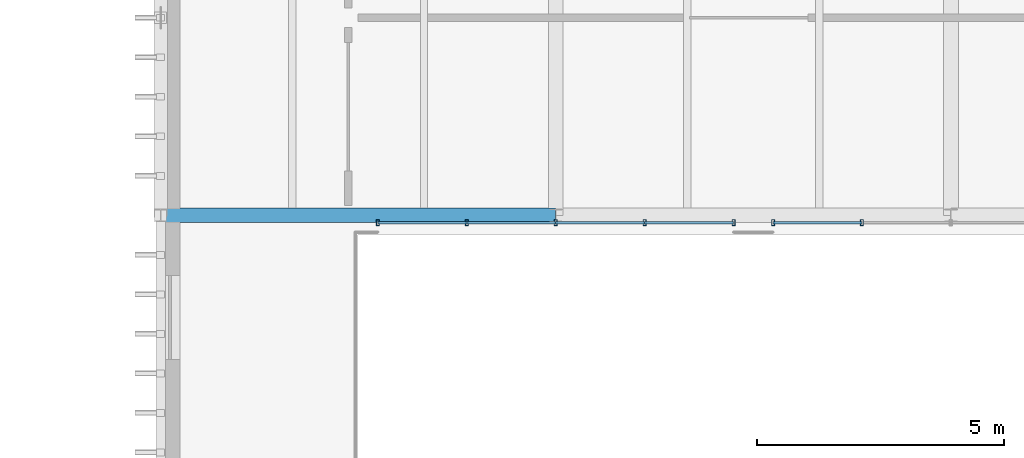
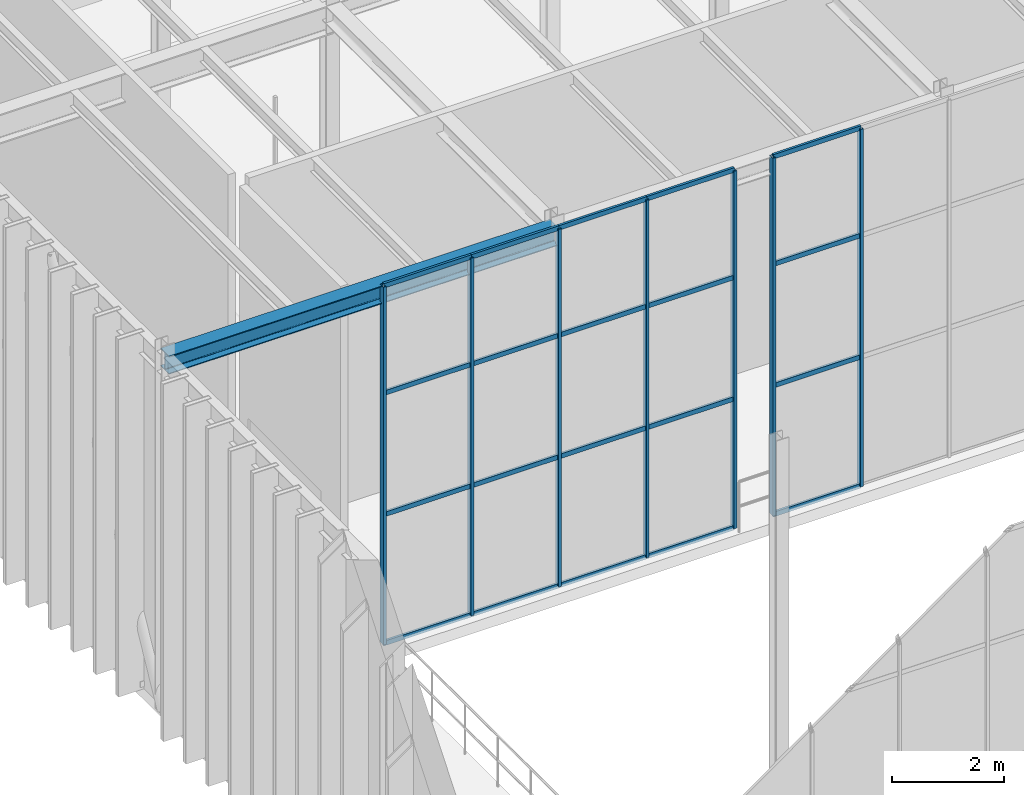
# One storey, part 58 of 138: 27 members, 1 beam, 2 elements without a shape of their own.
"""IFC4 building model written with IfcOpenShell, lengths in metres."""

from ifc_helpers import new_model, si_unit, direction, frame, origin, origin_2d, place, context, subcontext, project, spatial, hollow_rectangle, i_section, extrude, material, material_profile, profile_set, type_object, element, aggregate, save


model = new_model("IFC4")

# Units and contexts
model_context = context("Model", 3, precision=1e-05, world=origin(), true_north=direction((0.0, 1.0)))
body_context = subcontext(model_context, "Body", "Model", "MODEL_VIEW")
ifc_project = project(units=[si_unit("LENGTHUNIT", "METRE"), si_unit("AREAUNIT", "SQUARE_METRE"), si_unit("VOLUMEUNIT", "CUBIC_METRE"), si_unit("PLANEANGLEUNIT", "RADIAN"), si_unit("MASSUNIT", "GRAM", prefix="KILO")], contexts=[model_context])

# Site, building, storey
site_placement = place(None, origin())
site = spatial("IfcSite", under=ifc_project, at=site_placement, CompositionType="ELEMENT")
building_placement = place(site_placement, origin())
building = spatial("IfcBuilding", under=site, at=building_placement, Name="Sundkrona Museum", CompositionType="ELEMENT")
storey_placement = place(building_placement, frame((0.0, 0.0, 9.60009765625)))
storey = spatial("IfcBuildingStorey", under=building, at=storey_placement, Name="L02", CompositionType="ELEMENT", Elevation=9.60009765625)

# Beam
ifc_material_1 = material(Name="Steel S355J2", Category="steel")
ifc_material_profile_1 = material_profile(ifc_material_1, i_section(OverallWidth=0.300048828125, OverallDepth=0.389892578125, WebThickness=0.010986328125, FlangeThickness=0.01904296875, FilletRadius=0.027099609375, at=origin_2d()), Name="HEA 400")
ifc_profile_set_1 = profile_set([ifc_material_profile_1], Name="Steel S355J2")
beam_type = type_object("IfcBeamType", Name="B-HEA400", PredefinedType="BEAM", material=ifc_profile_set_1)
beam_placement = place(storey_placement, frame((16.0, 94.0, 7.56494140625), z_axis=(1.0, 0.0, 0.0), x_axis=(0.0, 1.0, 0.0)))
element("IfcBeam", 1, at=beam_placement, inside=storey, type_object=beam_type, Name="L02 Girder X-1211", PredefinedType="BEAM", context=body_context, shape_type="SweptSolid", body=[
    extrude(i_section(OverallWidth=0.300048828125, OverallDepth=0.389892578125, WebThickness=0.010986328125, FlangeThickness=0.01904296875, FilletRadius=0.027099609375, at=origin_2d()), origin(), (0.0, 0.0, 1.0), 8.0),
])

# Curtain wall, members
ifc_material_2 = material(Name="Unitised Aluminium-Steel and Ceramic-Clad Curtain Walling", Category="steel")
curtain_wall_type = type_object("IfcCurtainWallType", Name="CW-CL-64x48", PredefinedType="NOTDEFINED", material=ifc_material_2)
curtain_wall_1_placement = place(storey_placement, origin())
curtain_wall_1 = element("IfcCurtainWall", 2, at=curtain_wall_1_placement, inside=storey, type_object=curtain_wall_type, Name="L02 Curtain Wall CW-L02-131", PredefinedType="NOTDEFINED")
ifc_material_3 = material(Name="Aluminium EN AW-6060 T66", Category="aluminium")
ifc_material_profile_2 = material_profile(ifc_material_3, hollow_rectangle(XDim=0.06005859375, YDim=0.1201171875, WallThickness=0.0048828125, at=origin_2d()), Name="RHS 120x60x5.0")
ifc_profile_set_2 = profile_set([ifc_material_profile_2], Name="Aluminium EN AW-6060 T66")
member_type_1 = type_object("IfcMemberType", Name="ML-120", PredefinedType="MULLION", material=ifc_profile_set_2)
member_1_placement = place(storey_placement, frame((20.39990234375, 93.85009765625, -0.004150390625), z_axis=(0.0, 0.0, 1.0), x_axis=(1.0, 0.0, 0.0)))
member_1 = element("IfcMember", 3, at=member_1_placement, type_object=member_type_1, Name="CW-L02-131 Mullion 01", PredefinedType="MULLION", context=body_context, shape_type="SweptSolid", body=[
    extrude(hollow_rectangle(XDim=0.06005859375, YDim=0.1201171875, WallThickness=0.0048828125, at=origin_2d()), origin(), (0.0, 0.0, 1.0), 7.76806640625),
])
member_2_placement = place(storey_placement, frame((22.199951171875, 93.85009765625, -0.004150390625), z_axis=(0.0, 0.0, 1.0), x_axis=(1.0, 0.0, 0.0)))
member_2 = element("IfcMember", 4, at=member_2_placement, type_object=member_type_1, Name="CW-L02-131 Mullion 02", PredefinedType="MULLION", context=body_context, shape_type="SweptSolid", body=[
    extrude(hollow_rectangle(XDim=0.06005859375, YDim=0.1201171875, WallThickness=0.0048828125, at=origin_2d()), origin(), (0.0, 0.0, 1.0), 7.76806640625),
])
member_3_placement = place(storey_placement, frame((24.0, 93.85009765625, -0.004150390625), z_axis=(0.0, 0.0, 1.0), x_axis=(1.0, 0.0, 0.0)))
member_3 = element("IfcMember", 5, at=member_3_placement, type_object=member_type_1, Name="CW-L02-131 Mullion 03", PredefinedType="MULLION", context=body_context, shape_type="SweptSolid", body=[
    extrude(hollow_rectangle(XDim=0.06005859375, YDim=0.1201171875, WallThickness=0.0048828125, at=origin_2d()), origin(), (0.0, 0.0, 1.0), 7.76806640625),
])
member_4_placement = place(storey_placement, frame((25.800048828125, 93.85009765625, -0.004150390625), z_axis=(0.0, 0.0, 1.0), x_axis=(1.0, 0.0, 0.0)))
member_4 = element("IfcMember", 6, at=member_4_placement, type_object=member_type_1, Name="CW-L02-131 Mullion 04", PredefinedType="MULLION", context=body_context, shape_type="SweptSolid", body=[
    extrude(hollow_rectangle(XDim=0.06005859375, YDim=0.1201171875, WallThickness=0.0048828125, at=origin_2d()), origin(), (0.0, 0.0, 1.0), 7.76806640625),
])
member_5_placement = place(storey_placement, frame((27.60009765625, 93.85009765625, -0.004150390625), z_axis=(0.0, 0.0, 1.0), x_axis=(1.0, 0.0, 0.0)))
member_5 = element("IfcMember", 7, at=member_5_placement, type_object=member_type_1, Name="CW-L02-131 Mullion 05", PredefinedType="MULLION", context=body_context, shape_type="SweptSolid", body=[
    extrude(hollow_rectangle(XDim=0.06005859375, YDim=0.1201171875, WallThickness=0.0048828125, at=origin_2d()), origin(), (0.0, 0.0, 1.0), 7.76806640625),
])

curtain_wall_2_placement = place(storey_placement, origin())
curtain_wall_2 = element("IfcCurtainWall", 8, at=curtain_wall_2_placement, inside=storey, type_object=curtain_wall_type, Name="L02 Curtain Wall CW-L02-133", PredefinedType="NOTDEFINED")
member_6_placement = place(storey_placement, frame((28.39990234375, 93.85009765625, -0.004150390625), z_axis=(0.0, 0.0, 1.0), x_axis=(1.0, 0.0, 0.0)))
member_6 = element("IfcMember", 9, at=member_6_placement, type_object=member_type_1, Name="CW-L02-133 Mullion 01", PredefinedType="MULLION", context=body_context, shape_type="SweptSolid", body=[
    extrude(hollow_rectangle(XDim=0.06005859375, YDim=0.1201171875, WallThickness=0.0048828125, at=origin_2d()), origin(), (0.0, 0.0, 1.0), 7.76806640625),
])
member_7_placement = place(storey_placement, frame((30.199951171875, 93.85009765625, -0.004150390625), z_axis=(0.0, 0.0, 1.0), x_axis=(1.0, 0.0, 0.0)))
member_7 = element("IfcMember", 10, at=member_7_placement, type_object=member_type_1, Name="CW-L02-133 Mullion 02", PredefinedType="MULLION", context=body_context, shape_type="SweptSolid", body=[
    extrude(hollow_rectangle(XDim=0.06005859375, YDim=0.1201171875, WallThickness=0.0048828125, at=origin_2d()), origin(), (0.0, 0.0, 1.0), 7.76806640625),
])

# Member
ifc_material_profile_3 = material_profile(ifc_material_3, hollow_rectangle(XDim=0.050048828125, YDim=0.10009765625, WallThickness=0.0048828125, at=origin_2d()), Name="RHS 100x50x5.0")
ifc_profile_set_3 = profile_set([ifc_material_profile_3], Name="Aluminium EN AW-6060 T66")
member_type_2 = type_object("IfcMemberType", Name="TR-100", PredefinedType="USERDEFINED", material=ifc_profile_set_3)
member_8_placement = place(storey_placement, frame((20.39990234375, 93.85009765625, -0.004150390625), z_axis=(1.0, 0.0, 0.0), x_axis=(0.0, 1.0, 0.0)))
member_8 = element("IfcMember", 11, at=member_8_placement, type_object=member_type_2, Name="CW-L02-131 Transom 01", ObjectType="TRANSOM", PredefinedType="USERDEFINED", context=body_context, shape_type="SweptSolid", body=[
    extrude(hollow_rectangle(XDim=0.050048828125, YDim=0.10009765625, WallThickness=0.0048828125, at=origin_2d()), origin(), (0.0, 0.0, 1.0), 1.800048828125),
])

member_9_placement = place(storey_placement, frame((20.39990234375, 93.85009765625, 2.7939453125), z_axis=(1.0, 0.0, 0.0), x_axis=(0.0, 1.0, 0.0)))
member_9 = element("IfcMember", 12, at=member_9_placement, type_object=member_type_2, Name="CW-L02-131 Transom 02", ObjectType="TRANSOM", PredefinedType="USERDEFINED", context=body_context, shape_type="SweptSolid", body=[
    extrude(hollow_rectangle(XDim=0.050048828125, YDim=0.10009765625, WallThickness=0.0048828125, at=origin_2d()), origin(), (0.0, 0.0, 1.0), 1.800048828125),
])

member_10_placement = place(storey_placement, frame((20.39990234375, 93.85009765625, 5.431884765625), z_axis=(1.0, 0.0, 0.0), x_axis=(0.0, 1.0, 0.0)))
member_10 = element("IfcMember", 13, at=member_10_placement, type_object=member_type_2, Name="CW-L02-131 Transom 03", ObjectType="TRANSOM", PredefinedType="USERDEFINED", context=body_context, shape_type="SweptSolid", body=[
    extrude(hollow_rectangle(XDim=0.050048828125, YDim=0.10009765625, WallThickness=0.0048828125, at=origin_2d()), origin(), (0.0, 0.0, 1.0), 1.800048828125),
])

member_11_placement = place(storey_placement, frame((20.39990234375, 93.85009765625, 7.763916015625), z_axis=(1.0, 0.0, 0.0), x_axis=(0.0, 1.0, 0.0)))
member_11 = element("IfcMember", 14, at=member_11_placement, type_object=member_type_2, Name="CW-L02-131 Transom 04", ObjectType="TRANSOM", PredefinedType="USERDEFINED", context=body_context, shape_type="SweptSolid", body=[
    extrude(hollow_rectangle(XDim=0.050048828125, YDim=0.10009765625, WallThickness=0.0048828125, at=origin_2d()), origin(), (0.0, 0.0, 1.0), 1.800048828125),
])

member_12_placement = place(storey_placement, frame((22.199951171875, 93.85009765625, -0.004150390625), z_axis=(1.0, 0.0, 0.0), x_axis=(0.0, 1.0, 0.0)))
member_12 = element("IfcMember", 15, at=member_12_placement, type_object=member_type_2, Name="CW-L02-131 Transom 05", ObjectType="TRANSOM", PredefinedType="USERDEFINED", context=body_context, shape_type="SweptSolid", body=[
    extrude(hollow_rectangle(XDim=0.050048828125, YDim=0.10009765625, WallThickness=0.0048828125, at=origin_2d()), origin(), (0.0, 0.0, 1.0), 1.800048828125),
])

member_13_placement = place(storey_placement, frame((22.199951171875, 93.85009765625, 2.7939453125), z_axis=(1.0, 0.0, 0.0), x_axis=(0.0, 1.0, 0.0)))
member_13 = element("IfcMember", 16, at=member_13_placement, type_object=member_type_2, Name="CW-L02-131 Transom 06", ObjectType="TRANSOM", PredefinedType="USERDEFINED", context=body_context, shape_type="SweptSolid", body=[
    extrude(hollow_rectangle(XDim=0.050048828125, YDim=0.10009765625, WallThickness=0.0048828125, at=origin_2d()), origin(), (0.0, 0.0, 1.0), 1.800048828125),
])

member_14_placement = place(storey_placement, frame((22.199951171875, 93.85009765625, 5.431884765625), z_axis=(1.0, 0.0, 0.0), x_axis=(0.0, 1.0, 0.0)))
member_14 = element("IfcMember", 17, at=member_14_placement, type_object=member_type_2, Name="CW-L02-131 Transom 07", ObjectType="TRANSOM", PredefinedType="USERDEFINED", context=body_context, shape_type="SweptSolid", body=[
    extrude(hollow_rectangle(XDim=0.050048828125, YDim=0.10009765625, WallThickness=0.0048828125, at=origin_2d()), origin(), (0.0, 0.0, 1.0), 1.800048828125),
])

member_15_placement = place(storey_placement, frame((22.199951171875, 93.85009765625, 7.763916015625), z_axis=(1.0, 0.0, 0.0), x_axis=(0.0, 1.0, 0.0)))
member_15 = element("IfcMember", 18, at=member_15_placement, type_object=member_type_2, Name="CW-L02-131 Transom 08", ObjectType="TRANSOM", PredefinedType="USERDEFINED", context=body_context, shape_type="SweptSolid", body=[
    extrude(hollow_rectangle(XDim=0.050048828125, YDim=0.10009765625, WallThickness=0.0048828125, at=origin_2d()), origin(), (0.0, 0.0, 1.0), 1.800048828125),
])

member_16_placement = place(storey_placement, frame((24.0, 93.85009765625, -0.004150390625), z_axis=(1.0, 0.0, 0.0), x_axis=(0.0, 1.0, 0.0)))
member_16 = element("IfcMember", 19, at=member_16_placement, type_object=member_type_2, Name="CW-L02-131 Transom 09", ObjectType="TRANSOM", PredefinedType="USERDEFINED", context=body_context, shape_type="SweptSolid", body=[
    extrude(hollow_rectangle(XDim=0.050048828125, YDim=0.10009765625, WallThickness=0.0048828125, at=origin_2d()), origin(), (0.0, 0.0, 1.0), 1.800048828125),
])

member_17_placement = place(storey_placement, frame((24.0, 93.85009765625, 2.7939453125), z_axis=(1.0, 0.0, 0.0), x_axis=(0.0, 1.0, 0.0)))
member_17 = element("IfcMember", 20, at=member_17_placement, type_object=member_type_2, Name="CW-L02-131 Transom 10", ObjectType="TRANSOM", PredefinedType="USERDEFINED", context=body_context, shape_type="SweptSolid", body=[
    extrude(hollow_rectangle(XDim=0.050048828125, YDim=0.10009765625, WallThickness=0.0048828125, at=origin_2d()), origin(), (0.0, 0.0, 1.0), 1.800048828125),
])

member_18_placement = place(storey_placement, frame((24.0, 93.85009765625, 5.431884765625), z_axis=(1.0, 0.0, 0.0), x_axis=(0.0, 1.0, 0.0)))
member_18 = element("IfcMember", 21, at=member_18_placement, type_object=member_type_2, Name="CW-L02-131 Transom 11", ObjectType="TRANSOM", PredefinedType="USERDEFINED", context=body_context, shape_type="SweptSolid", body=[
    extrude(hollow_rectangle(XDim=0.050048828125, YDim=0.10009765625, WallThickness=0.0048828125, at=origin_2d()), origin(), (0.0, 0.0, 1.0), 1.800048828125),
])

member_19_placement = place(storey_placement, frame((24.0, 93.85009765625, 7.763916015625), z_axis=(1.0, 0.0, 0.0), x_axis=(0.0, 1.0, 0.0)))
member_19 = element("IfcMember", 22, at=member_19_placement, type_object=member_type_2, Name="CW-L02-131 Transom 12", ObjectType="TRANSOM", PredefinedType="USERDEFINED", context=body_context, shape_type="SweptSolid", body=[
    extrude(hollow_rectangle(XDim=0.050048828125, YDim=0.10009765625, WallThickness=0.0048828125, at=origin_2d()), origin(), (0.0, 0.0, 1.0), 1.800048828125),
])

member_20_placement = place(storey_placement, frame((25.800048828125, 93.85009765625, -0.004150390625), z_axis=(1.0, 0.0, 0.0), x_axis=(0.0, 1.0, 0.0)))
member_20 = element("IfcMember", 23, at=member_20_placement, type_object=member_type_2, Name="CW-L02-131 Transom 13", ObjectType="TRANSOM", PredefinedType="USERDEFINED", context=body_context, shape_type="SweptSolid", body=[
    extrude(hollow_rectangle(XDim=0.050048828125, YDim=0.10009765625, WallThickness=0.0048828125, at=origin_2d()), origin(), (0.0, 0.0, 1.0), 1.800048828125),
])

member_21_placement = place(storey_placement, frame((25.800048828125, 93.85009765625, 2.7939453125), z_axis=(1.0, 0.0, 0.0), x_axis=(0.0, 1.0, 0.0)))
member_21 = element("IfcMember", 24, at=member_21_placement, type_object=member_type_2, Name="CW-L02-131 Transom 14", ObjectType="TRANSOM", PredefinedType="USERDEFINED", context=body_context, shape_type="SweptSolid", body=[
    extrude(hollow_rectangle(XDim=0.050048828125, YDim=0.10009765625, WallThickness=0.0048828125, at=origin_2d()), origin(), (0.0, 0.0, 1.0), 1.800048828125),
])

member_22_placement = place(storey_placement, frame((25.800048828125, 93.85009765625, 5.431884765625), z_axis=(1.0, 0.0, 0.0), x_axis=(0.0, 1.0, 0.0)))
member_22 = element("IfcMember", 25, at=member_22_placement, type_object=member_type_2, Name="CW-L02-131 Transom 15", ObjectType="TRANSOM", PredefinedType="USERDEFINED", context=body_context, shape_type="SweptSolid", body=[
    extrude(hollow_rectangle(XDim=0.050048828125, YDim=0.10009765625, WallThickness=0.0048828125, at=origin_2d()), origin(), (0.0, 0.0, 1.0), 1.800048828125),
])

member_23_placement = place(storey_placement, frame((25.800048828125, 93.85009765625, 7.763916015625), z_axis=(1.0, 0.0, 0.0), x_axis=(0.0, 1.0, 0.0)))
member_23 = element("IfcMember", 26, at=member_23_placement, type_object=member_type_2, Name="CW-L02-131 Transom 16", ObjectType="TRANSOM", PredefinedType="USERDEFINED", context=body_context, shape_type="SweptSolid", body=[
    extrude(hollow_rectangle(XDim=0.050048828125, YDim=0.10009765625, WallThickness=0.0048828125, at=origin_2d()), origin(), (0.0, 0.0, 1.0), 1.800048828125),
])

aggregate(curtain_wall_1, [member_1, member_2, member_3, member_4, member_5, member_8, member_9, member_10, member_11, member_12, member_13, member_14, member_15, member_16, member_17, member_18, member_19, member_20, member_21, member_22, member_23])

member_24_placement = place(storey_placement, frame((28.39990234375, 93.85009765625, -0.004150390625), z_axis=(1.0, 0.0, 0.0), x_axis=(0.0, 1.0, 0.0)))
member_24 = element("IfcMember", 27, at=member_24_placement, type_object=member_type_2, Name="CW-L02-133 Transom 01", ObjectType="TRANSOM", PredefinedType="USERDEFINED", context=body_context, shape_type="SweptSolid", body=[
    extrude(hollow_rectangle(XDim=0.050048828125, YDim=0.10009765625, WallThickness=0.0048828125, at=origin_2d()), origin(), (0.0, 0.0, 1.0), 1.800048828125),
])

member_25_placement = place(storey_placement, frame((28.39990234375, 93.85009765625, 2.7939453125), z_axis=(1.0, 0.0, 0.0), x_axis=(0.0, 1.0, 0.0)))
member_25 = element("IfcMember", 28, at=member_25_placement, type_object=member_type_2, Name="CW-L02-133 Transom 02", ObjectType="TRANSOM", PredefinedType="USERDEFINED", context=body_context, shape_type="SweptSolid", body=[
    extrude(hollow_rectangle(XDim=0.050048828125, YDim=0.10009765625, WallThickness=0.0048828125, at=origin_2d()), origin(), (0.0, 0.0, 1.0), 1.800048828125),
])

member_26_placement = place(storey_placement, frame((28.39990234375, 93.85009765625, 5.431884765625), z_axis=(1.0, 0.0, 0.0), x_axis=(0.0, 1.0, 0.0)))
member_26 = element("IfcMember", 29, at=member_26_placement, type_object=member_type_2, Name="CW-L02-133 Transom 03", ObjectType="TRANSOM", PredefinedType="USERDEFINED", context=body_context, shape_type="SweptSolid", body=[
    extrude(hollow_rectangle(XDim=0.050048828125, YDim=0.10009765625, WallThickness=0.0048828125, at=origin_2d()), origin(), (0.0, 0.0, 1.0), 1.800048828125),
])

member_27_placement = place(storey_placement, frame((28.39990234375, 93.85009765625, 7.763916015625), z_axis=(1.0, 0.0, 0.0), x_axis=(0.0, 1.0, 0.0)))
member_27 = element("IfcMember", 30, at=member_27_placement, type_object=member_type_2, Name="CW-L02-133 Transom 04", ObjectType="TRANSOM", PredefinedType="USERDEFINED", context=body_context, shape_type="SweptSolid", body=[
    extrude(hollow_rectangle(XDim=0.050048828125, YDim=0.10009765625, WallThickness=0.0048828125, at=origin_2d()), origin(), (0.0, 0.0, 1.0), 1.800048828125),
])

aggregate(curtain_wall_2, [member_6, member_7, member_24, member_25, member_26, member_27])

save(model, "model.ifc")
